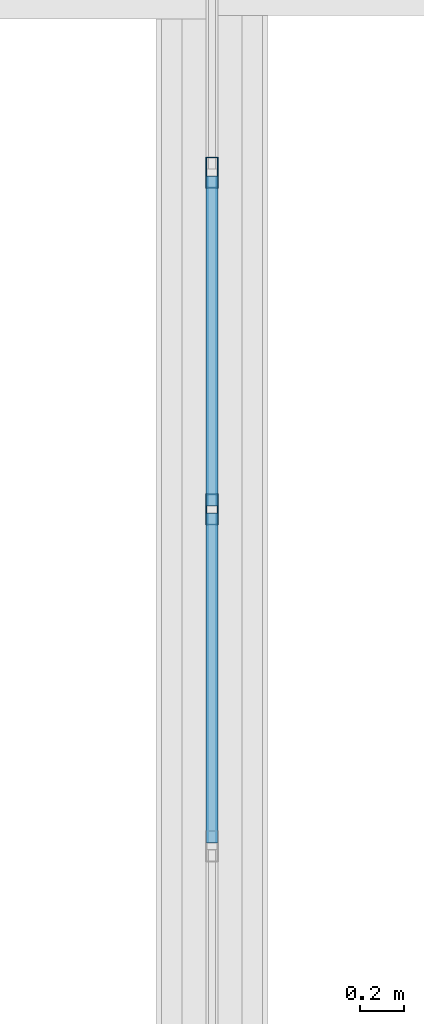
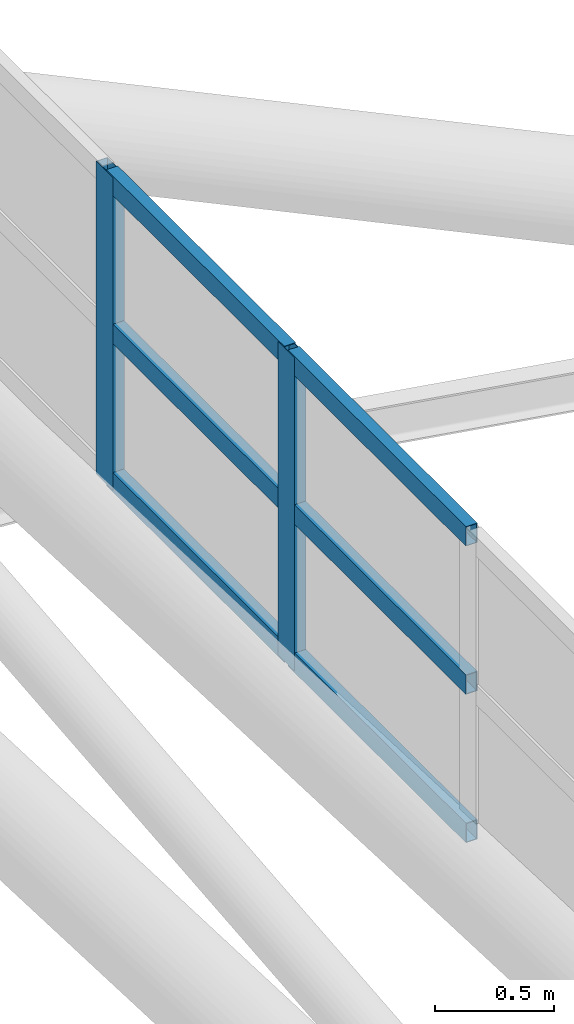
# One storey, part 272 of 397: 8 members, 1 element without a shape of its own.
"""IFC4 building model written with IfcOpenShell, lengths in metres."""

from ifc_helpers import new_model, si_unit, direction, frame, origin, origin_2d, place, context, subcontext, project, spatial, hollow_rectangle, extrude, material, material_profile, profile_set, type_object, element, aggregate, save


model = new_model("IFC4")

# Units and contexts
model_context = context("Model", 3, precision=1e-05, world=origin(), true_north=direction((0.0, 1.0)))
body_context = subcontext(model_context, "Body", "Model", "MODEL_VIEW")
ifc_project = project(units=[si_unit("LENGTHUNIT", "METRE"), si_unit("AREAUNIT", "SQUARE_METRE"), si_unit("VOLUMEUNIT", "CUBIC_METRE"), si_unit("PLANEANGLEUNIT", "RADIAN"), si_unit("MASSUNIT", "GRAM", prefix="KILO")], contexts=[model_context])

# Site, building, storey
site_placement = place(None, origin())
site = spatial("IfcSite", under=ifc_project, at=site_placement, CompositionType="ELEMENT")
building_placement = place(site_placement, origin())
building = spatial("IfcBuilding", under=site, at=building_placement, Name="Qandorah Velis Arena", CompositionType="ELEMENT")
storey_placement = place(building_placement, frame((0.0, 0.0, 27.5)))
storey = spatial("IfcBuildingStorey", under=building, at=storey_placement, Name="RF", CompositionType="ELEMENT", Elevation=27.5)

# Curtain wall, members
ifc_material_1 = material(Name="Solar-control low-E double glazing", Category="glass")
curtain_wall_type = type_object("IfcCurtainWallType", Name="ARC-CW-SYS14", PredefinedType="USERDEFINED", material=ifc_material_1)
curtain_wall_placement = place(storey_placement, origin())
curtain_wall = element("IfcCurtainWall", 1, at=curtain_wall_placement, inside=storey, type_object=curtain_wall_type, Name="Unitised curtain wall OCULUS-2-4", ObjectType="UNITISED CURTAIN WALL", PredefinedType="USERDEFINED")
ifc_material_2 = material(Name="Champagne-bronze anodized aluminium 6063-T6", Category="aluminium")
ifc_material_profile_1 = material_profile(ifc_material_2, hollow_rectangle(XDim=0.054931640625, YDim=0.139892578125, WallThickness=0.0029296875, at=origin_2d()), Name="ALU MULLION 55x140")
ifc_profile_set_1 = profile_set([ifc_material_profile_1], Name="Champagne-bronze anodized aluminium 6063-T6")
member_type_1 = type_object("IfcMemberType", Name="ARC-CWM-140", PredefinedType="MULLION", material=ifc_profile_set_1)
member_1_placement = place(storey_placement, frame((100.800048828125, 76.916748046875, 9.41259765625), z_axis=(0.0, 0.0, 1.0), x_axis=(-1.0, 0.0, 0.0)))
member_1 = element("IfcMember", 2, at=member_1_placement, type_object=member_type_1, Name="CW14 mullion 4", PredefinedType="MULLION", context=body_context, shape_type="SweptSolid", body=[
    extrude(hollow_rectangle(XDim=0.054931640625, YDim=0.139892578125, WallThickness=0.0029296875, at=origin_2d()), origin(), (0.0, 0.0, 1.0), 1.602294921875),
])
member_2_placement = place(storey_placement, frame((100.800048828125, 78.43896484375, 9.41259765625), z_axis=(0.0, 0.0, 1.0), x_axis=(-1.0, 0.0, 0.0)))
member_2 = element("IfcMember", 3, at=member_2_placement, type_object=member_type_1, Name="CW14 mullion 5", PredefinedType="MULLION", context=body_context, shape_type="SweptSolid", body=[
    extrude(hollow_rectangle(XDim=0.054931640625, YDim=0.139892578125, WallThickness=0.0029296875, at=origin_2d()), origin(), (0.0, 0.0, 1.0), 1.602294921875),
])
ifc_material_profile_2 = material_profile(ifc_material_2, hollow_rectangle(XDim=0.054931640625, YDim=0.10009765625, WallThickness=0.0029296875, at=origin_2d()), Name="ALU TRANSOM 55x100")
ifc_profile_set_2 = profile_set([ifc_material_profile_2], Name="Champagne-bronze anodized aluminium 6063-T6")
member_type_2 = type_object("IfcMemberType", Name="ARC-CWT-100", PredefinedType="USERDEFINED", material=ifc_profile_set_2)
member_3_placement = place(storey_placement, frame((100.800048828125, 75.409912109375, 9.455078125), z_axis=(0.0, 1.0, 0.0), x_axis=(-1.0, 0.0, 0.0)))
member_3 = element("IfcMember", 4, at=member_3_placement, type_object=member_type_2, Name="CW14 transom 3.1", ObjectType="TRANSOM", PredefinedType="USERDEFINED", context=body_context, shape_type="SweptSolid", body=[
    extrude(hollow_rectangle(XDim=0.054931640625, YDim=0.10009765625, WallThickness=0.0029296875, at=origin_2d()), origin(), (0.0, 0.0, 1.0), 1.4912109375),
])
member_4_placement = place(storey_placement, frame((100.800048828125, 75.409912109375, 10.2138671875), z_axis=(0.0, 1.0, 0.0), x_axis=(-1.0, 0.0, 0.0)))
member_4 = element("IfcMember", 5, at=member_4_placement, type_object=member_type_2, Name="CW14 transom 3.2", ObjectType="TRANSOM", PredefinedType="USERDEFINED", context=body_context, shape_type="SweptSolid", body=[
    extrude(hollow_rectangle(XDim=0.054931640625, YDim=0.10009765625, WallThickness=0.0029296875, at=origin_2d()), origin(), (0.0, 0.0, 1.0), 1.4912109375),
])
member_5_placement = place(storey_placement, frame((100.800048828125, 75.409912109375, 10.972412109375), z_axis=(0.0, 1.0, 0.0), x_axis=(-1.0, 0.0, 0.0)))
member_5 = element("IfcMember", 6, at=member_5_placement, type_object=member_type_2, Name="CW14 transom 3.3", ObjectType="TRANSOM", PredefinedType="USERDEFINED", context=body_context, shape_type="SweptSolid", body=[
    extrude(hollow_rectangle(XDim=0.054931640625, YDim=0.10009765625, WallThickness=0.0029296875, at=origin_2d()), origin(), (0.0, 0.0, 1.0), 1.4912109375),
])
member_6_placement = place(storey_placement, frame((100.800048828125, 76.93212890625, 9.455078125), z_axis=(0.0, 1.0, 0.0), x_axis=(-1.0, 0.0, 0.0)))
member_6 = element("IfcMember", 7, at=member_6_placement, type_object=member_type_2, Name="CW14 transom 4.1", ObjectType="TRANSOM", PredefinedType="USERDEFINED", context=body_context, shape_type="SweptSolid", body=[
    extrude(hollow_rectangle(XDim=0.054931640625, YDim=0.10009765625, WallThickness=0.0029296875, at=origin_2d()), origin(), (0.0, 0.0, 1.0), 1.4912109375),
])
member_7_placement = place(storey_placement, frame((100.800048828125, 76.93212890625, 10.2138671875), z_axis=(0.0, 1.0, 0.0), x_axis=(-1.0, 0.0, 0.0)))
member_7 = element("IfcMember", 8, at=member_7_placement, type_object=member_type_2, Name="CW14 transom 4.2", ObjectType="TRANSOM", PredefinedType="USERDEFINED", context=body_context, shape_type="SweptSolid", body=[
    extrude(hollow_rectangle(XDim=0.054931640625, YDim=0.10009765625, WallThickness=0.0029296875, at=origin_2d()), origin(), (0.0, 0.0, 1.0), 1.4912109375),
])
member_8_placement = place(storey_placement, frame((100.800048828125, 76.93212890625, 10.972412109375), z_axis=(0.0, 1.0, 0.0), x_axis=(-1.0, 0.0, 0.0)))
member_8 = element("IfcMember", 9, at=member_8_placement, type_object=member_type_2, Name="CW14 transom 4.3", ObjectType="TRANSOM", PredefinedType="USERDEFINED", context=body_context, shape_type="SweptSolid", body=[
    extrude(hollow_rectangle(XDim=0.054931640625, YDim=0.10009765625, WallThickness=0.0029296875, at=origin_2d()), origin(), (0.0, 0.0, 1.0), 1.4912109375),
])
aggregate(curtain_wall, [member_1, member_2, member_3, member_4, member_5, member_6, member_7, member_8])

save(model, "model.ifc")
